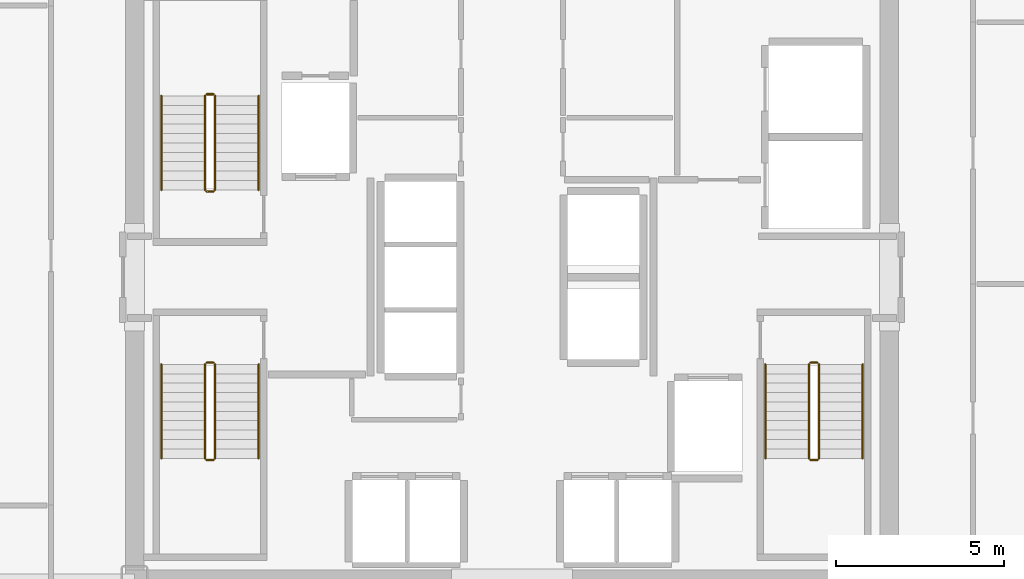
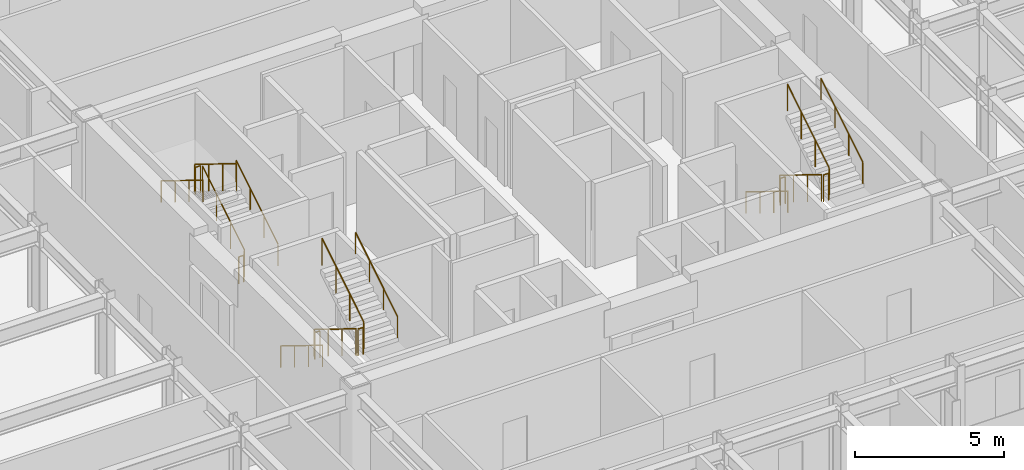
# One storey, part 23 of 23: 18 railings.
"""IFC4 building model written with IfcOpenShell, lengths in metres."""

from ifc_helpers import new_model, si_unit, direction, frame, origin, origin_2d, place, context, subcontext, project, spatial, circle, extrude, material, type_object, element, save


model = new_model("IFC4")

# Units and contexts
model_context = context("Model", 3, precision=1e-05, world=origin(), true_north=direction((0.0, 1.0)))
body_context = subcontext(model_context, "Body", "Model", "MODEL_VIEW")
ifc_project = project(units=[si_unit("LENGTHUNIT", "METRE"), si_unit("AREAUNIT", "SQUARE_METRE"), si_unit("VOLUMEUNIT", "CUBIC_METRE"), si_unit("PLANEANGLEUNIT", "RADIAN"), si_unit("MASSUNIT", "GRAM", prefix="KILO")], contexts=[model_context])

# Site, building, storey
site_placement = place(None, origin())
site = spatial("IfcSite", under=ifc_project, at=site_placement, CompositionType="ELEMENT")
building_placement = place(site_placement, origin())
building = spatial("IfcBuilding", under=site, at=building_placement, Name="Nefas-Gora Pilgrimage Tower", CompositionType="ELEMENT")
storey_placement = place(building_placement, frame((0.0, 0.0, 198.199951171875)))
storey = spatial("IfcBuildingStorey", under=building, at=storey_placement, Name="L49", CompositionType="ELEMENT", Elevation=198.199951171875)

# Railings
ifc_material_1 = material(Name="Painted galvanised steel", Category="steel")
railing_type_1 = type_object("IfcRailingType", Name="RLG-STR-GUARD-1100", PredefinedType="GUARDRAIL", material=ifc_material_1)
railing_1_placement = place(storey_placement, frame((-8.85009765625, 2.60009765625, 0.1728515625)))
element("IfcRailing", 1, at=railing_1_placement, inside=storey, type_object=railing_type_1, Name="L49 ST-01 stair guard 1", PredefinedType="GUARDRAIL", context=body_context, shape_type="SweptSolid", body=[
    extrude(circle(Radius=0.02392578125, at=origin_2d()), frame((0.0, 0.0, 1.09619140625), z_axis=(0.0, 0.851069175582, 0.525053576669), x_axis=(-1.0, 0.0, 0.0)), (0.0, 0.0, 1.0), 3.289794921875),
    extrude(circle(Radius=0.02099609375, at=origin_2d()), origin(), (0.0, 0.0, 1.0), 1.072021484375),
    extrude(circle(Radius=0.02099609375, at=origin_2d()), frame((0.0, 0.933349609375, 0.57568359375)), (0.0, 0.0, 1.0), 1.072021484375),
    extrude(circle(Radius=0.02099609375, at=origin_2d()), frame((0.0, 1.866455078125, 1.151611328125)), (0.0, 0.0, 1.0), 1.072021484375),
    extrude(circle(Radius=0.02099609375, at=origin_2d()), frame((0.0, 2.7998046875, 1.727294921875)), (0.0, 0.0, 1.0), 1.072021484375),
])
railing_2_placement = place(storey_placement, frame((-8.89990234375, 5.449951171875, 1.900146484375)))
element("IfcRailing", 2, at=railing_2_placement, inside=storey, type_object=railing_type_1, Name="L49 ST-01 stair guard 2", PredefinedType="GUARDRAIL", context=body_context, shape_type="SweptSolid", body=[
    extrude(circle(Radius=0.02392578125, at=origin_2d()), frame((0.0, 0.0, 1.09619140625), z_axis=(-1.0, 0.0, 0.0), x_axis=(0.0, -1.0, 0.0)), (0.0, 0.0, 1.0), 0.2001953125),
    extrude(circle(Radius=0.02099609375, at=origin_2d()), origin(), (0.0, 0.0, 1.0), 1.072021484375),
    extrude(circle(Radius=0.02099609375, at=origin_2d()), frame((-0.2001953125, 0.0, 0.0)), (0.0, 0.0, 1.0), 1.072021484375),
])
railing_3_placement = place(storey_placement, frame((-9.14990234375, 5.39990234375, 2.07275390625)))
element("IfcRailing", 3, at=railing_3_placement, inside=storey, type_object=railing_type_1, Name="L49 ST-01 stair guard 3", PredefinedType="GUARDRAIL", context=body_context, shape_type="SweptSolid", body=[
    extrude(circle(Radius=0.02392578125, at=origin_2d()), frame((0.0, 0.0, 1.09619140625), z_axis=(0.0, -0.851069175582, 0.525053576669), x_axis=(1.0, 0.0, 0.0)), (0.0, 0.0, 1.0), 3.289794921875),
    extrude(circle(Radius=0.02099609375, at=origin_2d()), origin(), (0.0, 0.0, 1.0), 1.072021484375),
    extrude(circle(Radius=0.02099609375, at=origin_2d()), frame((0.0, -0.933349609375, 0.57568359375)), (0.0, 0.0, 1.0), 1.072021484375),
    extrude(circle(Radius=0.02099609375, at=origin_2d()), frame((0.0, -1.866455078125, 1.151611328125)), (0.0, 0.0, 1.0), 1.072021484375),
    extrude(circle(Radius=0.02099609375, at=origin_2d()), frame((0.0, -2.7998046875, 1.727294921875)), (0.0, 0.0, 1.0), 1.072021484375),
])
railing_4_placement = place(storey_placement, frame((-8.89990234375, 2.550048828125, 0.0)))
element("IfcRailing", 4, at=railing_4_placement, inside=storey, type_object=railing_type_1, Name="L49 ST-01 stair guard 4", PredefinedType="GUARDRAIL", context=body_context, shape_type="SweptSolid", body=[
    extrude(circle(Radius=0.02392578125, at=origin_2d()), frame((0.0, 0.0, 1.09619140625), z_axis=(-1.0, 0.0, 0.0), x_axis=(0.0, -1.0, 0.0)), (0.0, 0.0, 1.0), 0.2001953125),
    extrude(circle(Radius=0.02099609375, at=origin_2d()), origin(), (0.0, 0.0, 1.0), 1.072021484375),
    extrude(circle(Radius=0.02099609375, at=origin_2d()), frame((-0.2001953125, 0.0, 0.0)), (0.0, 0.0, 1.0), 1.072021484375),
])
railing_5_placement = place(storey_placement, frame((8.85009765625, -2.60009765625, 0.1728515625)))
element("IfcRailing", 5, at=railing_5_placement, inside=storey, type_object=railing_type_1, Name="L49 ST-02 stair guard 1", PredefinedType="GUARDRAIL", context=body_context, shape_type="SweptSolid", body=[
    extrude(circle(Radius=0.02392578125, at=origin_2d()), frame((0.0, 0.0, 1.09619140625), z_axis=(0.0, -0.851069175582, 0.525053576669), x_axis=(1.0, 0.0, 0.0)), (0.0, 0.0, 1.0), 3.289794921875),
    extrude(circle(Radius=0.02099609375, at=origin_2d()), origin(), (0.0, 0.0, 1.0), 1.072021484375),
    extrude(circle(Radius=0.02099609375, at=origin_2d()), frame((0.0, -0.933349609375, 0.57568359375)), (0.0, 0.0, 1.0), 1.072021484375),
    extrude(circle(Radius=0.02099609375, at=origin_2d()), frame((0.0, -1.866455078125, 1.151611328125)), (0.0, 0.0, 1.0), 1.072021484375),
    extrude(circle(Radius=0.02099609375, at=origin_2d()), frame((0.0, -2.7998046875, 1.727294921875)), (0.0, 0.0, 1.0), 1.072021484375),
])
railing_6_placement = place(storey_placement, frame((8.89990234375, -5.449951171875, 1.900146484375)))
element("IfcRailing", 6, at=railing_6_placement, inside=storey, type_object=railing_type_1, Name="L49 ST-02 stair guard 2", PredefinedType="GUARDRAIL", context=body_context, shape_type="SweptSolid", body=[
    extrude(circle(Radius=0.02392578125, at=origin_2d()), frame((0.0, 0.0, 1.09619140625), z_axis=(1.0, 0.0, 0.0), x_axis=(0.0, 1.0, 0.0)), (0.0, 0.0, 1.0), 0.2001953125),
    extrude(circle(Radius=0.02099609375, at=origin_2d()), origin(), (0.0, 0.0, 1.0), 1.072021484375),
    extrude(circle(Radius=0.02099609375, at=origin_2d()), frame((0.2001953125, 0.0, 0.0)), (0.0, 0.0, 1.0), 1.072021484375),
])
railing_7_placement = place(storey_placement, frame((9.14990234375, -5.39990234375, 2.07275390625)))
element("IfcRailing", 7, at=railing_7_placement, inside=storey, type_object=railing_type_1, Name="L49 ST-02 stair guard 3", PredefinedType="GUARDRAIL", context=body_context, shape_type="SweptSolid", body=[
    extrude(circle(Radius=0.02392578125, at=origin_2d()), frame((0.0, 0.0, 1.09619140625), z_axis=(0.0, 0.851069175582, 0.525053576669), x_axis=(-1.0, 0.0, 0.0)), (0.0, 0.0, 1.0), 3.289794921875),
    extrude(circle(Radius=0.02099609375, at=origin_2d()), origin(), (0.0, 0.0, 1.0), 1.072021484375),
    extrude(circle(Radius=0.02099609375, at=origin_2d()), frame((0.0, 0.933349609375, 0.57568359375)), (0.0, 0.0, 1.0), 1.072021484375),
    extrude(circle(Radius=0.02099609375, at=origin_2d()), frame((0.0, 1.866455078125, 1.151611328125)), (0.0, 0.0, 1.0), 1.072021484375),
    extrude(circle(Radius=0.02099609375, at=origin_2d()), frame((0.0, 2.7998046875, 1.727294921875)), (0.0, 0.0, 1.0), 1.072021484375),
])
railing_8_placement = place(storey_placement, frame((8.89990234375, -2.550048828125, 0.0)))
element("IfcRailing", 8, at=railing_8_placement, inside=storey, type_object=railing_type_1, Name="L49 ST-02 stair guard 4", PredefinedType="GUARDRAIL", context=body_context, shape_type="SweptSolid", body=[
    extrude(circle(Radius=0.02392578125, at=origin_2d()), frame((0.0, 0.0, 1.09619140625), z_axis=(1.0, 0.0, 0.0), x_axis=(0.0, 1.0, 0.0)), (0.0, 0.0, 1.0), 0.2001953125),
    extrude(circle(Radius=0.02099609375, at=origin_2d()), origin(), (0.0, 0.0, 1.0), 1.072021484375),
    extrude(circle(Radius=0.02099609375, at=origin_2d()), frame((0.2001953125, 0.0, 0.0)), (0.0, 0.0, 1.0), 1.072021484375),
])
railing_9_placement = place(storey_placement, frame((-9.14990234375, -2.60009765625, 0.1728515625)))
element("IfcRailing", 9, at=railing_9_placement, inside=storey, type_object=railing_type_1, Name="L49 ST-03 stair guard 1", PredefinedType="GUARDRAIL", context=body_context, shape_type="SweptSolid", body=[
    extrude(circle(Radius=0.02392578125, at=origin_2d()), frame((0.0, 0.0, 1.09619140625), z_axis=(0.0, -0.851069175582, 0.525053576669), x_axis=(1.0, 0.0, 0.0)), (0.0, 0.0, 1.0), 3.289794921875),
    extrude(circle(Radius=0.02099609375, at=origin_2d()), origin(), (0.0, 0.0, 1.0), 1.072021484375),
    extrude(circle(Radius=0.02099609375, at=origin_2d()), frame((0.0, -0.933349609375, 0.57568359375)), (0.0, 0.0, 1.0), 1.072021484375),
    extrude(circle(Radius=0.02099609375, at=origin_2d()), frame((0.0, -1.866455078125, 1.151611328125)), (0.0, 0.0, 1.0), 1.072021484375),
    extrude(circle(Radius=0.02099609375, at=origin_2d()), frame((0.0, -2.7998046875, 1.727294921875)), (0.0, 0.0, 1.0), 1.072021484375),
])
railing_10_placement = place(storey_placement, frame((-9.10009765625, -5.449951171875, 1.900146484375)))
element("IfcRailing", 10, at=railing_10_placement, inside=storey, type_object=railing_type_1, Name="L49 ST-03 stair guard 2", PredefinedType="GUARDRAIL", context=body_context, shape_type="SweptSolid", body=[
    extrude(circle(Radius=0.02392578125, at=origin_2d()), frame((0.0, 0.0, 1.09619140625), z_axis=(1.0, 0.0, 0.0), x_axis=(0.0, 1.0, 0.0)), (0.0, 0.0, 1.0), 0.2001953125),
    extrude(circle(Radius=0.02099609375, at=origin_2d()), origin(), (0.0, 0.0, 1.0), 1.072021484375),
    extrude(circle(Radius=0.02099609375, at=origin_2d()), frame((0.2001953125, 0.0, 0.0)), (0.0, 0.0, 1.0), 1.072021484375),
])
railing_11_placement = place(storey_placement, frame((-8.85009765625, -5.39990234375, 2.07275390625)))
element("IfcRailing", 11, at=railing_11_placement, inside=storey, type_object=railing_type_1, Name="L49 ST-03 stair guard 3", PredefinedType="GUARDRAIL", context=body_context, shape_type="SweptSolid", body=[
    extrude(circle(Radius=0.02392578125, at=origin_2d()), frame((0.0, 0.0, 1.09619140625), z_axis=(0.0, 0.851069175582, 0.525053576669), x_axis=(-1.0, 0.0, 0.0)), (0.0, 0.0, 1.0), 3.289794921875),
    extrude(circle(Radius=0.02099609375, at=origin_2d()), origin(), (0.0, 0.0, 1.0), 1.072021484375),
    extrude(circle(Radius=0.02099609375, at=origin_2d()), frame((0.0, 0.933349609375, 0.57568359375)), (0.0, 0.0, 1.0), 1.072021484375),
    extrude(circle(Radius=0.02099609375, at=origin_2d()), frame((0.0, 1.866455078125, 1.151611328125)), (0.0, 0.0, 1.0), 1.072021484375),
    extrude(circle(Radius=0.02099609375, at=origin_2d()), frame((0.0, 2.7998046875, 1.727294921875)), (0.0, 0.0, 1.0), 1.072021484375),
])
railing_12_placement = place(storey_placement, frame((-9.10009765625, -2.550048828125, 0.0)))
element("IfcRailing", 12, at=railing_12_placement, inside=storey, type_object=railing_type_1, Name="L49 ST-03 stair guard 4", PredefinedType="GUARDRAIL", context=body_context, shape_type="SweptSolid", body=[
    extrude(circle(Radius=0.02392578125, at=origin_2d()), frame((0.0, 0.0, 1.09619140625), z_axis=(1.0, 0.0, 0.0), x_axis=(0.0, 1.0, 0.0)), (0.0, 0.0, 1.0), 0.2001953125),
    extrude(circle(Radius=0.02099609375, at=origin_2d()), origin(), (0.0, 0.0, 1.0), 1.072021484375),
    extrude(circle(Radius=0.02099609375, at=origin_2d()), frame((0.2001953125, 0.0, 0.0)), (0.0, 0.0, 1.0), 1.072021484375),
])
ifc_material_2 = material(Name="Brushed stainless steel", Category="steel")
railing_type_2 = type_object("IfcRailingType", Name="RLG-STR-HAND-900", PredefinedType="HANDRAIL", material=ifc_material_2)
railing_13_placement = place(storey_placement, frame((-7.550048828125, 2.60009765625, 0.1728515625)))
element("IfcRailing", 13, at=railing_13_placement, inside=storey, type_object=railing_type_2, Name="L49 ST-01 stair handrail 1", PredefinedType="HANDRAIL", context=body_context, shape_type="SweptSolid", body=[
    extrude(circle(Radius=0.02392578125, at=origin_2d()), frame((0.0, 0.0, 0.8759765625), z_axis=(0.0, 0.851069175582, 0.525053576669), x_axis=(-1.0, 0.0, 0.0)), (0.0, 0.0, 1.0), 3.289794921875),
    extrude(circle(Radius=0.02099609375, at=origin_2d()), origin(), (0.0, 0.0, 1.0), 0.851806640625),
    extrude(circle(Radius=0.02099609375, at=origin_2d()), frame((0.0, 0.933349609375, 0.57568359375)), (0.0, 0.0, 1.0), 0.851806640625),
    extrude(circle(Radius=0.02099609375, at=origin_2d()), frame((0.0, 1.866455078125, 1.151611328125)), (0.0, 0.0, 1.0), 0.851806640625),
    extrude(circle(Radius=0.02099609375, at=origin_2d()), frame((0.0, 2.7998046875, 1.727294921875)), (0.0, 0.0, 1.0), 0.851806640625),
])
for number, where, name in (
    (14, (-10.449951171875, 5.39990234375, 2.07275390625), "L49 ST-01 stair handrail 2"),
    (15, (7.550048828125, -2.60009765625, 0.1728515625), "L49 ST-02 stair handrail 1"),
):
    element("IfcRailing", number, at=place(storey_placement, frame(where)), inside=storey, type_object=railing_type_2, Name=name, PredefinedType="HANDRAIL", context=body_context, shape_type="SweptSolid", body=[
        extrude(circle(Radius=0.02392578125, at=origin_2d()), frame((0.0, 0.0, 0.8759765625), z_axis=(0.0, -0.851069175582, 0.525053576669), x_axis=(1.0, 0.0, 0.0)), (0.0, 0.0, 1.0), 3.289794921875),
        extrude(circle(Radius=0.02099609375, at=origin_2d()), origin(), (0.0, 0.0, 1.0), 0.851806640625),
        extrude(circle(Radius=0.02099609375, at=origin_2d()), frame((0.0, -0.933349609375, 0.57568359375)), (0.0, 0.0, 1.0), 0.851806640625),
        extrude(circle(Radius=0.02099609375, at=origin_2d()), frame((0.0, -1.866455078125, 1.151611328125)), (0.0, 0.0, 1.0), 0.851806640625),
        extrude(circle(Radius=0.02099609375, at=origin_2d()), frame((0.0, -2.7998046875, 1.727294921875)), (0.0, 0.0, 1.0), 0.851806640625),
    ])
railing_14_placement = place(storey_placement, frame((10.449951171875, -5.39990234375, 2.07275390625)))
element("IfcRailing", 16, at=railing_14_placement, inside=storey, type_object=railing_type_2, Name="L49 ST-02 stair handrail 2", PredefinedType="HANDRAIL", context=body_context, shape_type="SweptSolid", body=[
    extrude(circle(Radius=0.02392578125, at=origin_2d()), frame((0.0, 0.0, 0.8759765625), z_axis=(0.0, 0.851069175582, 0.525053576669), x_axis=(-1.0, 0.0, 0.0)), (0.0, 0.0, 1.0), 3.289794921875),
    extrude(circle(Radius=0.02099609375, at=origin_2d()), origin(), (0.0, 0.0, 1.0), 0.851806640625),
    extrude(circle(Radius=0.02099609375, at=origin_2d()), frame((0.0, 0.933349609375, 0.57568359375)), (0.0, 0.0, 1.0), 0.851806640625),
    extrude(circle(Radius=0.02099609375, at=origin_2d()), frame((0.0, 1.866455078125, 1.151611328125)), (0.0, 0.0, 1.0), 0.851806640625),
    extrude(circle(Radius=0.02099609375, at=origin_2d()), frame((0.0, 2.7998046875, 1.727294921875)), (0.0, 0.0, 1.0), 0.851806640625),
])
railing_15_placement = place(storey_placement, frame((-10.449951171875, -2.60009765625, 0.1728515625)))
element("IfcRailing", 17, at=railing_15_placement, inside=storey, type_object=railing_type_2, Name="L49 ST-03 stair handrail 1", PredefinedType="HANDRAIL", context=body_context, shape_type="SweptSolid", body=[
    extrude(circle(Radius=0.02392578125, at=origin_2d()), frame((0.0, 0.0, 0.8759765625), z_axis=(0.0, -0.851069175582, 0.525053576669), x_axis=(1.0, 0.0, 0.0)), (0.0, 0.0, 1.0), 3.289794921875),
    extrude(circle(Radius=0.02099609375, at=origin_2d()), origin(), (0.0, 0.0, 1.0), 0.851806640625),
    extrude(circle(Radius=0.02099609375, at=origin_2d()), frame((0.0, -0.933349609375, 0.57568359375)), (0.0, 0.0, 1.0), 0.851806640625),
    extrude(circle(Radius=0.02099609375, at=origin_2d()), frame((0.0, -1.866455078125, 1.151611328125)), (0.0, 0.0, 1.0), 0.851806640625),
    extrude(circle(Radius=0.02099609375, at=origin_2d()), frame((0.0, -2.7998046875, 1.727294921875)), (0.0, 0.0, 1.0), 0.851806640625),
])
railing_16_placement = place(storey_placement, frame((-7.550048828125, -5.39990234375, 2.07275390625)))
element("IfcRailing", 18, at=railing_16_placement, inside=storey, type_object=railing_type_2, Name="L49 ST-03 stair handrail 2", PredefinedType="HANDRAIL", context=body_context, shape_type="SweptSolid", body=[
    extrude(circle(Radius=0.02392578125, at=origin_2d()), frame((0.0, 0.0, 0.8759765625), z_axis=(0.0, 0.851069175582, 0.525053576669), x_axis=(-1.0, 0.0, 0.0)), (0.0, 0.0, 1.0), 3.289794921875),
    extrude(circle(Radius=0.02099609375, at=origin_2d()), origin(), (0.0, 0.0, 1.0), 0.851806640625),
    extrude(circle(Radius=0.02099609375, at=origin_2d()), frame((0.0, 0.933349609375, 0.57568359375)), (0.0, 0.0, 1.0), 0.851806640625),
    extrude(circle(Radius=0.02099609375, at=origin_2d()), frame((0.0, 1.866455078125, 1.151611328125)), (0.0, 0.0, 1.0), 0.851806640625),
    extrude(circle(Radius=0.02099609375, at=origin_2d()), frame((0.0, 2.7998046875, 1.727294921875)), (0.0, 0.0, 1.0), 0.851806640625),
])

save(model, "model.ifc")
